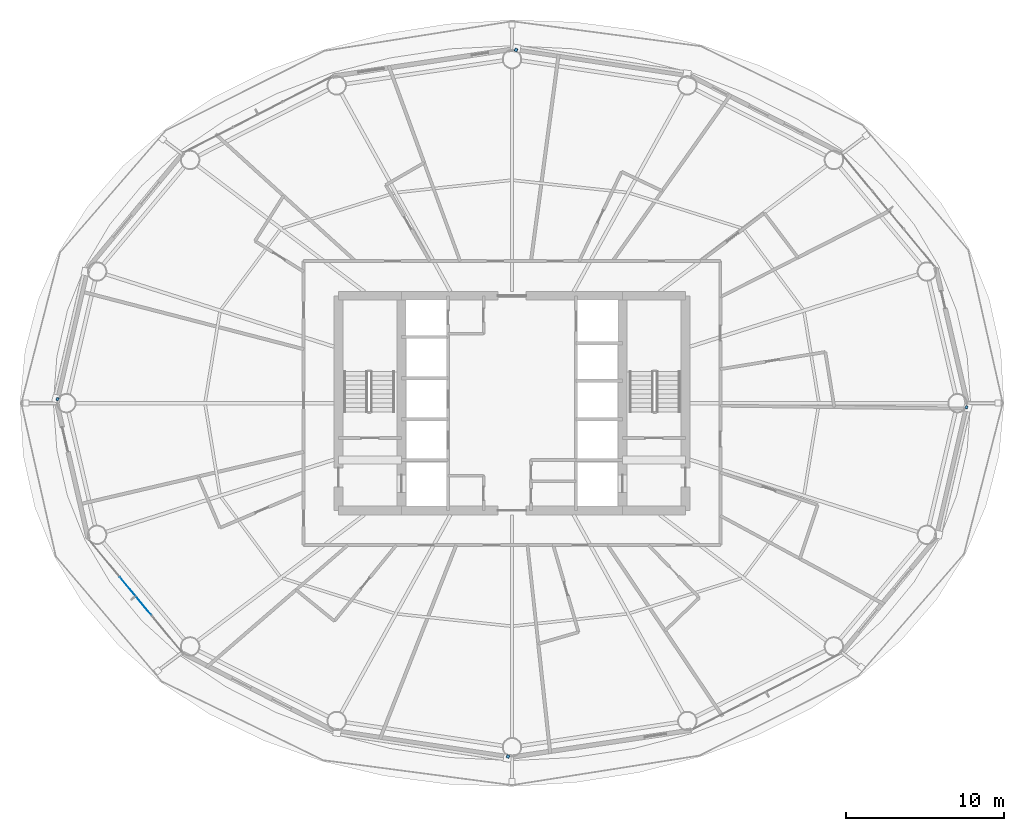
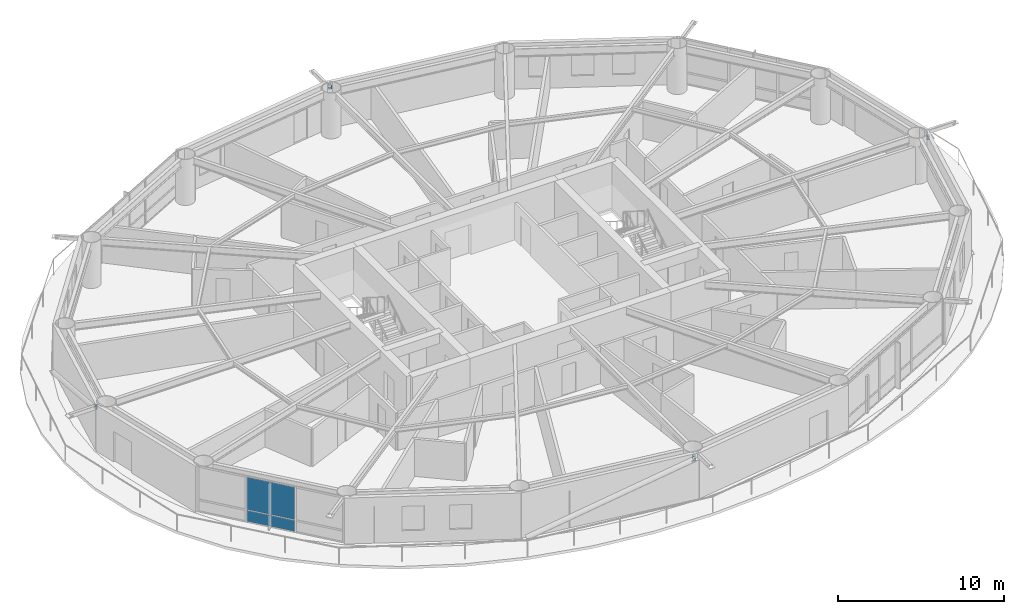
# One storey, part 13 of 24: 4 members, 2 plates, 1 element without a shape of its own.
"""IFC4 building model written with IfcOpenShell, lengths in metres."""

import ifcopenshell
import ifcopenshell.guid

model = None  # the IFC model being written
_history = None  # IfcOwnerHistory: only IFC2X3 demands one
_inside = {}  # id of a spatial element -> (the spatial element, [elements in it])
_under = {}  # id of a project, library or spatial element -> (it, [spatial elements below it])
_declared = {}  # id of a project -> (the project, [libraries it declares])
_typed = {}  # id of a type object -> (the type object, [elements of that type])
_made_of = {}  # id of a material, layer set ... -> (it, [elements and type objects made of it])


def new_model(schema):
    """Start an empty IFC model of exactly this schema.

    Asked for "IFC4X3", IfcOpenShell would pick the latest addendum, in which some entities
    have other attributes; the version numbers below select the first issue.
    IFC2X3 requires an IfcOwnerHistory on every rooted entity: one is made here for all.
    """
    global model, _history
    if schema == "IFC4X3":
        model = ifcopenshell.file(schema_version=(4, 3, 0, 0))
    else:
        model = ifcopenshell.file(schema=schema)
    _inside.clear()
    _under.clear()
    _declared.clear()
    _typed.clear()
    _made_of.clear()
    _history = None
    if model.schema == "IFC2X3":
        org = make("IfcOrganization", Name="unknown")
        user = make(
            "IfcPersonAndOrganization",
            ThePerson=make("IfcPerson", FamilyName="unknown"),
            TheOrganization=org,
        )
        app = make(
            "IfcApplication",
            ApplicationDeveloper=org,
            Version="unknown",
            ApplicationFullName="unknown",
            ApplicationIdentifier="unknown",
        )
        _history = make(
            "IfcOwnerHistory",
            OwningUser=user,
            OwningApplication=app,
            ChangeAction="ADDED",
            CreationDate=0,
        )
    return model


def make(cls, **values):
    """One entity of the class cls with the attributes given. An attribute that is None is left unset."""
    return model.create_entity(
        cls, **{name: value for name, value in values.items() if value is not None}
    )


def rooted(cls, **values):
    """An entity with a GlobalId (a new one), such as an element, a storey or a relation."""
    return make(cls, GlobalId=ifcopenshell.guid.new(), OwnerHistory=_history, **values)


def si_unit(unit_type, name, prefix=None):
    """IfcSIUnit, for example si_unit("LENGTHUNIT", "METRE", prefix="MILLI")."""
    return make("IfcSIUnit", UnitType=unit_type, Prefix=prefix, Name=name)


def assignment(units):
    """IfcUnitAssignment: the units of a project."""
    return None if units is None else make("IfcUnitAssignment", Units=units)


def point(xyz):
    """IfcCartesianPoint."""
    return None if xyz is None else make("IfcCartesianPoint", Coordinates=xyz)


def direction(xyz):
    """IfcDirection."""
    return None if xyz is None else make("IfcDirection", DirectionRatios=xyz)


def frame(location, z_axis=None, x_axis=None):
    """IfcAxis2Placement3D, a coordinate frame: its origin and axes. An axis left out is left unset."""
    return make(
        "IfcAxis2Placement3D",
        Location=point(location),
        Axis=direction(z_axis),
        RefDirection=direction(x_axis),
    )


def frame_2d(location, x_axis=None):
    """IfcAxis2Placement2D, a coordinate frame in the plane: its origin and x axis."""
    return make(
        "IfcAxis2Placement2D", Location=point(location), RefDirection=direction(x_axis)
    )


def origin():
    """The frame at (0, 0, 0) with its axes left unset."""
    return frame((0.0, 0.0, 0.0))


def origin_2d():
    """The frame at (0, 0) in the plane with its x axis left unset."""
    return frame_2d((0.0, 0.0))


def place(relative_to, where):
    """IfcLocalPlacement: puts the frame where relative to a parent placement (None: the world)."""
    return make(
        "IfcLocalPlacement", PlacementRelTo=relative_to, RelativePlacement=where
    )


def context(
    kind, dimensions, precision=None, world=None, true_north=None, identifier=None
):
    """IfcGeometricRepresentationContext, for example the 3D "Model" context."""
    return make(
        "IfcGeometricRepresentationContext",
        ContextIdentifier=identifier,
        ContextType=kind,
        CoordinateSpaceDimension=dimensions,
        Precision=precision,
        WorldCoordinateSystem=world,
        TrueNorth=true_north,
    )


def subcontext(parent, identifier, kind, view, scale=None):
    """IfcGeometricRepresentationSubContext, for example "Body" below "Model"."""
    return make(
        "IfcGeometricRepresentationSubContext",
        ContextIdentifier=identifier,
        ContextType=kind,
        ParentContext=parent,
        TargetScale=scale,
        TargetView=view,
    )


def project(units=None, contexts=None):
    """IfcProject with its units and contexts."""
    return rooted(
        "IfcProject",
        Name="project",
        RepresentationContexts=contexts,
        UnitsInContext=assignment(units),
    )


def spatial(cls, under=None, at=None, **own):
    """A site, building, storey or space (cls), placed at a placement, below another one or the project."""
    s = rooted(cls, ObjectPlacement=at, **own)
    if under is not None:
        _under.setdefault(under.id(), (under, []))[1].append(s)
    return s


def profile(cls, at=None, kind="AREA", **sizes):
    """A parametric profile (cls). Its sizes go by their IFC names, for example OverallWidth=200.0."""
    return make(cls, ProfileType=kind, Position=at, **sizes)


def rectangle(**sizes):
    """IfcRectangleProfileDef."""
    return profile("IfcRectangleProfileDef", **sizes)


def hollow_rectangle(**sizes):
    """IfcRectangleHollowProfileDef."""
    return profile("IfcRectangleHollowProfileDef", **sizes)


def extrude(swept, where, along, depth):
    """IfcExtrudedAreaSolid: the profile swept, set in the frame where, extruded along a direction by depth."""
    return make(
        "IfcExtrudedAreaSolid",
        SweptArea=swept,
        Position=where,
        ExtrudedDirection=direction(along),
        Depth=depth,
    )


def shape(context_of_items, identifier, shape_type, items):
    """IfcShapeRepresentation: the items that make up one representation, for example the "Body"."""
    return make(
        "IfcShapeRepresentation",
        ContextOfItems=context_of_items,
        RepresentationIdentifier=identifier,
        RepresentationType=shape_type,
        Items=items,
    )


def material(Name=None, Category=None):
    """IfcMaterial."""
    return make("IfcMaterial", Name=Name, Category=Category)


def layer(
    of_material, thickness, ventilated=None, Name=None, Category=None, Priority=None
):
    """IfcMaterialLayer: one layer of a wall or slab, of a material (None: an air gap)."""
    return make(
        "IfcMaterialLayer",
        Material=of_material,
        LayerThickness=thickness,
        IsVentilated=ventilated,
        Name=Name,
        Category=Category,
        Priority=Priority,
    )


def layer_set(layers, Name=None):
    """IfcMaterialLayerSet."""
    return make("IfcMaterialLayerSet", MaterialLayers=layers, LayerSetName=Name)


def material_profile(
    of_material, cross_section, Name=None, Category=None, Priority=None
):
    """IfcMaterialProfile: a cross section and its material."""
    return make(
        "IfcMaterialProfile",
        Name=Name,
        Material=of_material,
        Profile=cross_section,
        Priority=Priority,
        Category=Category,
    )


def profile_set(profiles, Name=None, composite=None):
    """IfcMaterialProfileSet."""
    return make(
        "IfcMaterialProfileSet",
        Name=Name,
        MaterialProfiles=profiles,
        CompositeProfile=composite,
    )


def made_of(thing, what):
    """Note that an element or type object is made of a material, layer set ...; save() writes the relation."""
    if what is not None:
        _made_of.setdefault(what.id(), (what, []))[1].append(thing)
    return thing


def type_object(cls, material=None, **own):
    """A type object (cls), such as IfcWallType, which elements share."""
    return made_of(rooted(cls, **own), material)


def element(
    cls,
    number,
    at=None,
    inside=None,
    cuts=None,
    type_object=None,
    material=None,
    context=None,
    identifier="Body",
    shape_type=None,
    held_by="IfcProductDefinitionShape",
    body=None,
    shapes=None,
    **own,
):
    """One element of the class cls, such as IfcWall. Its Tag is "e" and its number.

    at: its placement. inside: the storey or other place that contains it. cuts: it is an
    opening in that element (IfcRelVoidsElement). A single representation is given by context,
    identifier, shape_type and body (its items); several are given by shapes. held_by: the class
    of the entity that holds the representations. save() writes the other relations.
    """
    e = rooted(cls, Tag="e%d" % number, ObjectPlacement=at, **own)
    if body is not None:
        shapes = [shape(context, identifier, shape_type, body)]
    if shapes is not None:
        e.Representation = make(held_by, Representations=shapes)
    if inside is not None:
        _inside.setdefault(inside.id(), (inside, []))[1].append(e)
    if cuts is not None:
        rooted(
            "IfcRelVoidsElement", RelatingBuildingElement=cuts, RelatedOpeningElement=e
        )
    if type_object is not None:
        _typed.setdefault(type_object.id(), (type_object, []))[1].append(e)
    return made_of(e, material)


def aggregate(whole, parts):
    """IfcRelAggregates: a whole, such as a stair, and the parts it consists of."""
    return rooted("IfcRelAggregates", RelatingObject=whole, RelatedObjects=parts)


def save(model, path):
    """Write the relations noted so far, then the file.

    IfcRelAggregates (storeys below a building ...), IfcRelContainedInSpatialStructure (elements
    in a storey), IfcRelDefinesByType, IfcRelAssociatesMaterial and IfcRelDeclares: one each for
    every whole, place, type object, material and project.
    """
    for whole, parts in _under.values():
        aggregate(whole, parts)
    for where, things in _inside.values():
        rooted(
            "IfcRelContainedInSpatialStructure",
            RelatedElements=things,
            RelatingStructure=where,
        )
    for kind, things in _typed.values():
        rooted("IfcRelDefinesByType", RelatedObjects=things, RelatingType=kind)
    for what, things in _made_of.values():
        rooted("IfcRelAssociatesMaterial", RelatedObjects=things, RelatingMaterial=what)
    for by, libraries in _declared.values():
        rooted("IfcRelDeclares", RelatingContext=by, RelatedDefinitions=libraries)
    model.write(path)


model = new_model("IFC4")

# Units and contexts
model_context = context("Model", 3, precision=1e-05, world=origin(), true_north=direction((0.0, 1.0)))
body_context = subcontext(model_context, "Body", "Model", "MODEL_VIEW")
ifc_project = project(units=[si_unit("LENGTHUNIT", "METRE"), si_unit("AREAUNIT", "SQUARE_METRE"), si_unit("VOLUMEUNIT", "CUBIC_METRE"), si_unit("PLANEANGLEUNIT", "RADIAN"), si_unit("MASSUNIT", "GRAM", prefix="KILO")], contexts=[model_context])

# Site, building, storey
site_placement = place(None, origin())
site = spatial("IfcSite", under=ifc_project, at=site_placement, CompositionType="ELEMENT")
building_placement = place(site_placement, origin())
building = spatial("IfcBuilding", under=site, at=building_placement, Name="Sarneth Arch Tower", CompositionType="ELEMENT")
storey_placement = place(building_placement, frame((0.0, 0.0, 105.60009765625)))
storey = spatial("IfcBuildingStorey", under=building, at=storey_placement, Name="L26", CompositionType="ELEMENT", Elevation=105.60009765625)

# Members
ifc_material_1 = material(Name="Steel S355", Category="steel")
ifc_material_profile = material_profile(ifc_material_1, hollow_rectangle(XDim=0.199951171875, YDim=0.300048828125, WallThickness=0.012451171875, InnerFilletRadius=0.018798828125, OuterFilletRadius=0.03125, at=origin_2d()), Name="RHS300x200x12.5")
ifc_profile_set = profile_set([ifc_material_profile], Name="Steel S355")
member_type = type_object("IfcMemberType", Name="MEM-CANT-STRUT", PredefinedType="STRUT", material=ifc_profile_set)
member_1_placement = place(storey_placement, frame((48.214599609375, 64.295654296875, 3.0126953125), z_axis=(0.396911150685, 0.91785703596, 0.0), x_axis=(-0.91785703596, 0.396911150685, 0.0)))
element("IfcMember", 1, at=member_1_placement, inside=storey, type_object=member_type, Name="L26 Exoskeleton brace node strut 04B", PredefinedType="STRUT", context=body_context, shape_type="SweptSolid", body=[
    extrude(hollow_rectangle(XDim=0.199951171875, YDim=0.300048828125, WallThickness=0.012451171875, InnerFilletRadius=0.018798828125, OuterFilletRadius=0.03125, at=origin_2d()), origin(), (0.0, 0.0, 1.0), 0.206787109375),
])
member_2_placement = place(storey_placement, frame((19.27197265625, 42.223876953125, 3.0126953125), z_axis=(-0.910619027161, 0.413246884287, 0.0), x_axis=(-0.413246884287, -0.910619027161, 0.0)))
element("IfcMember", 2, at=member_2_placement, inside=storey, type_object=member_type, Name="L26 Exoskeleton brace node strut 08B", PredefinedType="STRUT", context=body_context, shape_type="SweptSolid", body=[
    extrude(hollow_rectangle(XDim=0.199951171875, YDim=0.300048828125, WallThickness=0.012451171875, InnerFilletRadius=0.018798828125, OuterFilletRadius=0.03125, at=origin_2d()), origin(), (0.0, 0.0, 1.0), 0.16552734375),
])
member_3_placement = place(storey_placement, frame((47.785400390625, 19.704345703125, 3.0126953125), z_axis=(-0.396911150685, -0.91785703596, 0.0), x_axis=(0.91785703596, -0.396911150685, 0.0)))
element("IfcMember", 3, at=member_3_placement, inside=storey, type_object=member_type, Name="L26 Exoskeleton brace node strut 12B", PredefinedType="STRUT", context=body_context, shape_type="SweptSolid", body=[
    extrude(hollow_rectangle(XDim=0.199951171875, YDim=0.300048828125, WallThickness=0.012451171875, InnerFilletRadius=0.018798828125, OuterFilletRadius=0.03125, at=origin_2d()), origin(), (0.0, 0.0, 1.0), 0.206787109375),
])
member_4_placement = place(storey_placement, frame((76.72802734375, 41.776123046875, 3.0126953125), z_axis=(0.910619027161, -0.413246884287, 0.0), x_axis=(0.413246884287, 0.910619027161, 0.0)))
element("IfcMember", 4, at=member_4_placement, inside=storey, type_object=member_type, Name="L26 Exoskeleton brace node strut 16B", PredefinedType="STRUT", context=body_context, shape_type="SweptSolid", body=[
    extrude(hollow_rectangle(XDim=0.199951171875, YDim=0.300048828125, WallThickness=0.012451171875, InnerFilletRadius=0.018798828125, OuterFilletRadius=0.03125, at=origin_2d()), origin(), (0.0, 0.0, 1.0), 0.16552734375),
])

# Curtain wall, plates
ifc_material_2 = material(Name="Anodised aluminium Type AA25 and solar-control low-e laminated IGU", Category="aluminium")
ifc_layer_1 = layer(ifc_material_2, 0.159912109375)
ifc_layer_set_1 = layer_set([ifc_layer_1], Name="Anodised aluminium Type AA25 and solar-control low-e laminated IGU")
curtain_wall_type = type_object("IfcCurtainWallType", Name="CW-HOTEL-MID", PredefinedType="NOTDEFINED", material=ifc_layer_set_1)
curtain_wall_placement = place(storey_placement, origin())
curtain_wall = element("IfcCurtainWall", 5, at=curtain_wall_placement, inside=storey, type_object=curtain_wall_type, Name="L26 Unitised curtain wall facet 10", PredefinedType="NOTDEFINED")
ifc_material_3 = material(Name="Solar-control low-e laminated IGU", Category="glass")
ifc_layer_2 = layer(ifc_material_3, 0.028076171875)
ifc_layer_set_2 = layer_set([ifc_layer_2], Name="Solar-control low-e laminated IGU")
plate_type = type_object("IfcPlateType", Name="CW-PANEL", PredefinedType="CURTAIN_PANEL", material=ifc_layer_set_2)
plate_1_placement = place(storey_placement, frame((24.1494140625, 29.778076171875, 0.059814453125), z_axis=(0.0, 0.0, 1.0), x_axis=(0.637515188684, -0.770437787363, 0.0)))
plate_1 = element("IfcPlate", 6, at=plate_1_placement, type_object=plate_type, Name="Curtain wall glazed vision pane CW-L26-F10/P01-00", PredefinedType="CURTAIN_PANEL", context=body_context, shape_type="SweptSolid", body=[
    extrude(rectangle(XDim=3.08837890625, YDim=0.028076171875, at=origin_2d()), origin(), (0.0, 0.0, 1.0), 0.81005859375),
])
plate_2_placement = place(storey_placement, frame((24.1494140625, 29.778076171875, 0.93017578125), z_axis=(0.0, 0.0, 1.0), x_axis=(0.637515188684, -0.770437787363, 0.0)))
plate_2 = element("IfcPlate", 7, at=plate_2_placement, type_object=plate_type, Name="Curtain wall glazed vision pane CW-L26-F10/P01-01", PredefinedType="CURTAIN_PANEL", context=body_context, shape_type="SweptSolid", body=[
    extrude(rectangle(XDim=3.08837890625, YDim=0.028076171875, at=origin_2d()), origin(), (0.0, 0.0, 1.0), 2.389892578125),
])
aggregate(curtain_wall, [plate_1, plate_2])

save(model, "model.ifc")
